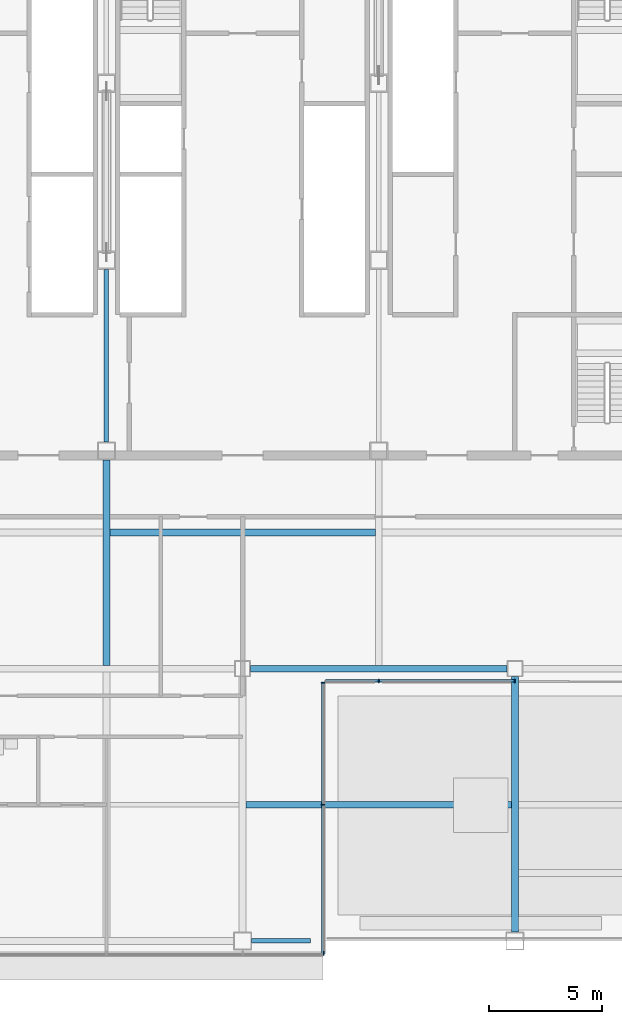
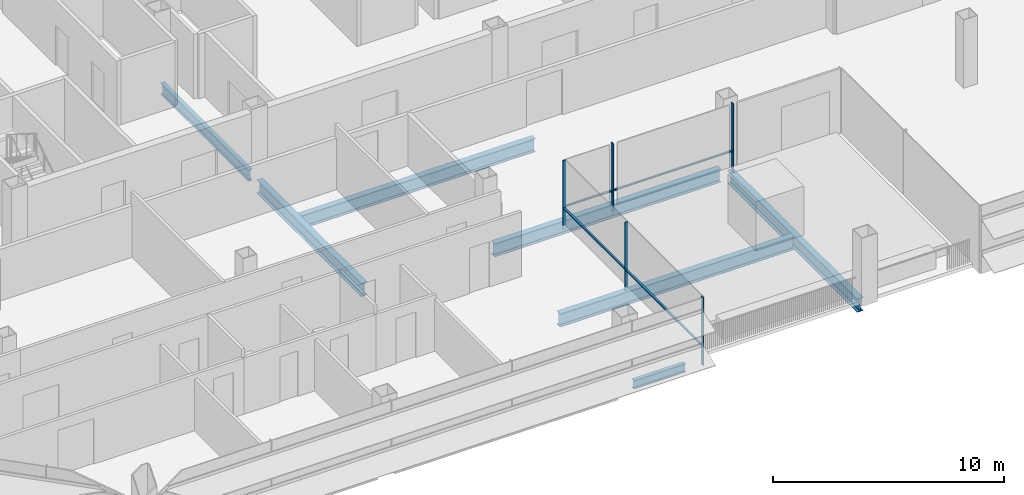
# One storey, part 7 of 26: 7 beams, 7 members, 3 elements without a shape of their own.
"""IFC4 building model written with IfcOpenShell, lengths in metres."""

from ifc_helpers import new_model, si_unit, direction, frame, origin, origin_2d, place, context, subcontext, project, spatial, rectangle, i_section, extrude, material, material_profile, profile_set, type_object, element, aggregate, save


model = new_model("IFC4")

# Units and contexts
model_context = context("Model", 3, precision=1e-05, world=origin(), true_north=direction((0.0, 1.0)))
body_context = subcontext(model_context, "Body", "Model", "MODEL_VIEW")
ifc_project = project(units=[si_unit("LENGTHUNIT", "METRE"), si_unit("AREAUNIT", "SQUARE_METRE"), si_unit("VOLUMEUNIT", "CUBIC_METRE"), si_unit("PLANEANGLEUNIT", "RADIAN"), si_unit("MASSUNIT", "GRAM", prefix="KILO")], contexts=[model_context])

# Site, building, storey
site_placement = place(None, origin())
site = spatial("IfcSite", under=ifc_project, at=site_placement, CompositionType="ELEMENT")
building_placement = place(site_placement, origin())
building = spatial("IfcBuilding", under=site, at=building_placement, Name="Sorahane Residences", CompositionType="ELEMENT")
storey_placement = place(building_placement, frame((0.0, 0.0, 103.39990234375)))
storey = spatial("IfcBuildingStorey", under=building, at=storey_placement, Name="L22", CompositionType="ELEMENT", Elevation=103.39990234375)

# Curtain wall, member
ifc_material_1 = material(Name="Dark low-e glass and black anodised aluminium", Category="aluminium")
curtain_wall_type = type_object("IfcCurtainWallType", Name="Curtain wall CW-1 Typical unitised wall", PredefinedType="NOTDEFINED", material=ifc_material_1)
curtain_wall_1_placement = place(storey_placement, origin())
curtain_wall_1 = element("IfcCurtainWall", 1, at=curtain_wall_1_placement, inside=storey, type_object=curtain_wall_type, Name="CW-1 curtain wall L22 S1", PredefinedType="NOTDEFINED")
ifc_material_2 = material(Name="Black anodised aluminium", Category="aluminium")
ifc_material_profile_1 = material_profile(ifc_material_2, rectangle(XDim=0.159912109375, YDim=0.050048828125, at=origin_2d()), Name="Curtain wall mullion CW-1 black anodised aluminium 50x160")
ifc_profile_set_1 = profile_set([ifc_material_profile_1], Name="Black anodised aluminium")
member_type_1 = type_object("IfcMemberType", Name="Curtain wall mullion CW-1 black anodised aluminium 50x160", PredefinedType="MULLION", material=ifc_profile_set_1)
member_1_placement = place(storey_placement, frame((27.574951171875, -0.5400390625, -0.179931640625), z_axis=(0.0, 0.0, 1.0), x_axis=(0.0, -1.0, 0.0)))
member_1 = element("IfcMember", 2, at=member_1_placement, type_object=member_type_1, Name="CW-1 mullion L22 S1.6", PredefinedType="MULLION", context=body_context, shape_type="SweptSolid", body=[
    extrude(rectangle(XDim=0.159912109375, YDim=0.050048828125, at=origin_2d()), origin(), (0.0, 0.0, 1.0), 3.60009765625),
])
aggregate(curtain_wall_1, [member_1])

# Curtain wall, members
curtain_wall_2_placement = place(storey_placement, origin())
curtain_wall_2 = element("IfcCurtainWall", 3, at=curtain_wall_2_placement, inside=storey, type_object=curtain_wall_type, Name="CW-1 curtain wall L22 E1", PredefinedType="NOTDEFINED")
member_2_placement = place(storey_placement, frame((27.5400390625, 6.0, -0.179931640625), z_axis=(0.0, 0.0, 1.0), x_axis=(1.0, 0.0, 0.0)))
member_2 = element("IfcMember", 4, at=member_2_placement, type_object=member_type_1, Name="CW-1 mullion L22 E1.2", PredefinedType="MULLION", context=body_context, shape_type="SweptSolid", body=[
    extrude(rectangle(XDim=0.159912109375, YDim=0.050048828125, at=origin_2d()), origin(), (0.0, 0.0, 1.0), 3.60009765625),
])
member_3_placement = place(storey_placement, frame((27.5400390625, 11.375, -0.179931640625), z_axis=(0.0, 0.0, 1.0), x_axis=(1.0, 0.0, 0.0)))
member_3 = element("IfcMember", 5, at=member_3_placement, type_object=member_type_1, Name="CW-1 mullion L22 E1.3", PredefinedType="MULLION", context=body_context, shape_type="SweptSolid", body=[
    extrude(rectangle(XDim=0.159912109375, YDim=0.050048828125, at=origin_2d()), origin(), (0.0, 0.0, 1.0), 3.60009765625),
])

curtain_wall_3_placement = place(storey_placement, origin())
curtain_wall_3 = element("IfcCurtainWall", 6, at=curtain_wall_3_placement, inside=storey, type_object=curtain_wall_type, Name="CW-1 curtain wall L22 S2", PredefinedType="NOTDEFINED")
member_4_placement = place(storey_placement, frame((30.0, 11.4599609375, -0.179931640625), z_axis=(0.0, 0.0, 1.0), x_axis=(0.0, -1.0, 0.0)))
member_4 = element("IfcMember", 7, at=member_4_placement, type_object=member_type_1, Name="CW-1 mullion L22 S2.2", PredefinedType="MULLION", context=body_context, shape_type="SweptSolid", body=[
    extrude(rectangle(XDim=0.159912109375, YDim=0.050048828125, at=origin_2d()), origin(), (0.0, 0.0, 1.0), 3.60009765625),
])
member_5_placement = place(storey_placement, frame((36.0, 11.4599609375, -0.179931640625), z_axis=(0.0, 0.0, 1.0), x_axis=(0.0, -1.0, 0.0)))
member_5 = element("IfcMember", 8, at=member_5_placement, type_object=member_type_1, Name="CW-1 mullion L22 S2.3", PredefinedType="MULLION", context=body_context, shape_type="SweptSolid", body=[
    extrude(rectangle(XDim=0.159912109375, YDim=0.050048828125, at=origin_2d()), origin(), (0.0, 0.0, 1.0), 3.60009765625),
])

# Member
ifc_material_3 = material(Name="Black anodised aluminium", Category="aluminium")
ifc_material_profile_2 = material_profile(ifc_material_3, rectangle(XDim=0.10009765625, YDim=0.06005859375, at=origin_2d()), Name="Curtain wall transom CW-1 black anodised aluminium 60x100")
ifc_profile_set_2 = profile_set([ifc_material_profile_2], Name="Black anodised aluminium")
member_type_2 = type_object("IfcMemberType", Name="Curtain wall transom CW-1 black anodised aluminium 60x100", PredefinedType="USERDEFINED", material=ifc_profile_set_2)
member_6_placement = place(storey_placement, frame((27.530029296875, -0.550048828125, 0.900146484375), z_axis=(0.0, 1.0, 0.0), x_axis=(-1.0, 0.0, 0.0)))
member_6 = element("IfcMember", 9, at=member_6_placement, type_object=member_type_2, Name="CW-1 transom L22 E1", ObjectType="TRANSOM", PredefinedType="USERDEFINED", context=body_context, shape_type="SweptSolid", body=[
    extrude(rectangle(XDim=0.10009765625, YDim=0.06005859375, at=origin_2d()), origin(), (0.0, 0.0, 1.0), 11.900146484375),
])

aggregate(curtain_wall_2, [member_2, member_3, member_6])

member_7_placement = place(storey_placement, frame((27.64990234375, 11.469970703125, 0.900146484375), z_axis=(1.0, 0.0, 0.0), x_axis=(0.0, 1.0, 0.0)))
member_7 = element("IfcMember", 10, at=member_7_placement, type_object=member_type_2, Name="CW-1 transom L22 S2", ObjectType="TRANSOM", PredefinedType="USERDEFINED", context=body_context, shape_type="SweptSolid", body=[
    extrude(rectangle(XDim=0.10009765625, YDim=0.06005859375, at=origin_2d()), origin(), (0.0, 0.0, 1.0), 8.3251953125),
])

aggregate(curtain_wall_3, [member_4, member_5, member_7])

# Beams
ifc_material_4 = material(Name="Steel Q355B", Category="steel")
ifc_material_profile_3 = material_profile(ifc_material_4, i_section(OverallWidth=0.199951171875, OverallDepth=0.449951171875, WebThickness=0.009033203125, FlangeThickness=0.013916015625, FilletRadius=0.02001953125, at=origin_2d()), Name="HN 450x200x9x14")
ifc_profile_set_3 = profile_set([ifc_material_profile_3], Name="Steel Q355B")
beam_type_1 = type_object("IfcBeamType", Name="Steel floor beam HN 450x200x9x14 Q355B", PredefinedType="BEAM", material=ifc_profile_set_3)
beam_1_placement = place(storey_placement, frame((24.39990234375, 0.0, -0.40478515625), z_axis=(1.0, 0.0, 0.0), x_axis=(0.0, 1.0, 0.0)))
element("IfcBeam", 11, at=beam_1_placement, inside=storey, type_object=beam_type_1, Name="Beam L22 002", PredefinedType="BEAM", context=body_context, shape_type="SweptSolid", body=[
    extrude(i_section(OverallWidth=0.199951171875, OverallDepth=0.449951171875, WebThickness=0.009033203125, FlangeThickness=0.013916015625, FilletRadius=0.02001953125, at=origin_2d()), origin(), (0.0, 0.0, 1.0), 2.60009765625),
])
ifc_material_5 = material(Name="Steel Q355B", Category="steel")
ifc_material_profile_4 = material_profile(ifc_material_5, i_section(OverallWidth=0.199951171875, OverallDepth=0.60009765625, WebThickness=0.010986328125, FlangeThickness=0.01708984375, FilletRadius=0.02392578125, at=origin_2d()), Name="HN 600x200x11x17")
ifc_profile_set_4 = profile_set([ifc_material_profile_4], Name="Steel Q355B")
beam_type_2 = type_object("IfcBeamType", Name="Steel floor beam HN 600x200x11x17 Q355B", PredefinedType="BEAM", material=ifc_profile_set_4)
beam_2_placement = place(storey_placement, frame((18.0, 22.0, -0.47998046875), z_axis=(0.0, 1.0, 0.0), x_axis=(-1.0, 0.0, 0.0)))
element("IfcBeam", 12, at=beam_2_placement, inside=storey, type_object=beam_type_2, Name="Beam L22 037", PredefinedType="BEAM", context=body_context, shape_type="SweptSolid", body=[
    extrude(i_section(OverallWidth=0.199951171875, OverallDepth=0.60009765625, WebThickness=0.010986328125, FlangeThickness=0.01708984375, FilletRadius=0.02392578125, at=origin_2d()), origin(), (0.0, 0.0, 1.0), 7.60009765625),
])
ifc_material_6 = material(Name="Steel Q355B", Category="steel")
ifc_material_profile_5 = material_profile(ifc_material_6, i_section(OverallWidth=0.300048828125, OverallDepth=0.699951171875, WebThickness=0.012939453125, FlangeThickness=0.02392578125, FilletRadius=0.028076171875, at=origin_2d()), Name="HN 700x300x13x24")
ifc_profile_set_5 = profile_set([ifc_material_profile_5], Name="Steel Q355B")
beam_type_3 = type_object("IfcBeamType", Name="Steel floor beam HN 700x300x13x24 Q355B", PredefinedType="BEAM", material=ifc_profile_set_5)
beam_3_placement = place(storey_placement, frame((24.35009765625, 12.0, -0.52978515625), z_axis=(1.0, 0.0, 0.0), x_axis=(0.0, 1.0, 0.0)))
element("IfcBeam", 13, at=beam_3_placement, inside=storey, type_object=beam_type_3, Name="Beam L22 007", PredefinedType="BEAM", context=body_context, shape_type="SweptSolid", body=[
    extrude(i_section(OverallWidth=0.300048828125, OverallDepth=0.699951171875, WebThickness=0.012939453125, FlangeThickness=0.02392578125, FilletRadius=0.028076171875, at=origin_2d()), origin(), (0.0, 0.0, 1.0), 11.2998046875),
])
beam_4_placement = place(storey_placement, frame((18.0, 12.14990234375, -0.52978515625), z_axis=(0.0, 1.0, 0.0), x_axis=(-1.0, 0.0, 0.0)))
element("IfcBeam", 14, at=beam_4_placement, inside=storey, type_object=beam_type_3, Name="Beam L22 036", PredefinedType="BEAM", context=body_context, shape_type="SweptSolid", body=[
    extrude(i_section(OverallWidth=0.300048828125, OverallDepth=0.699951171875, WebThickness=0.012939453125, FlangeThickness=0.02392578125, FilletRadius=0.028076171875, at=origin_2d()), origin(), (0.0, 0.0, 1.0), 9.050048828125),
])
beam_5_placement = place(storey_placement, frame((36.0, 0.39990234375, -0.52978515625), z_axis=(0.0, 1.0, 0.0), x_axis=(-1.0, 0.0, 0.0)))
element("IfcBeam", 15, at=beam_5_placement, inside=storey, type_object=beam_type_3, Name="Beam L22 048", PredefinedType="BEAM", context=body_context, shape_type="SweptSolid", body=[
    extrude(i_section(OverallWidth=0.300048828125, OverallDepth=0.699951171875, WebThickness=0.012939453125, FlangeThickness=0.02392578125, FilletRadius=0.028076171875, at=origin_2d()), origin(), (0.0, 0.0, 1.0), 11.25),
])
for number, where, z_axis, x_axis, name in (
    (16, (24.14990234375, 6.0, -0.52978515625), (1.0, 0.0, 0.0), (0.0, 1.0, 0.0), "Beam L22 070"),
    (17, (18.14990234375, 18.0, -0.52978515625), (1.0, 0.0, 0.0), (0.0, 1.0, 0.0), "Beam L22 076"),
):
    element("IfcBeam", number, at=place(storey_placement, frame(where, z_axis=z_axis, x_axis=x_axis)), inside=storey, type_object=beam_type_3, Name=name, PredefinedType="BEAM", context=body_context, shape_type="SweptSolid", body=[
        extrude(i_section(OverallWidth=0.300048828125, OverallDepth=0.699951171875, WebThickness=0.012939453125, FlangeThickness=0.02392578125, FilletRadius=0.028076171875, at=origin_2d()), origin(), (0.0, 0.0, 1.0), 11.7001953125),
    ])

save(model, "model.ifc")
